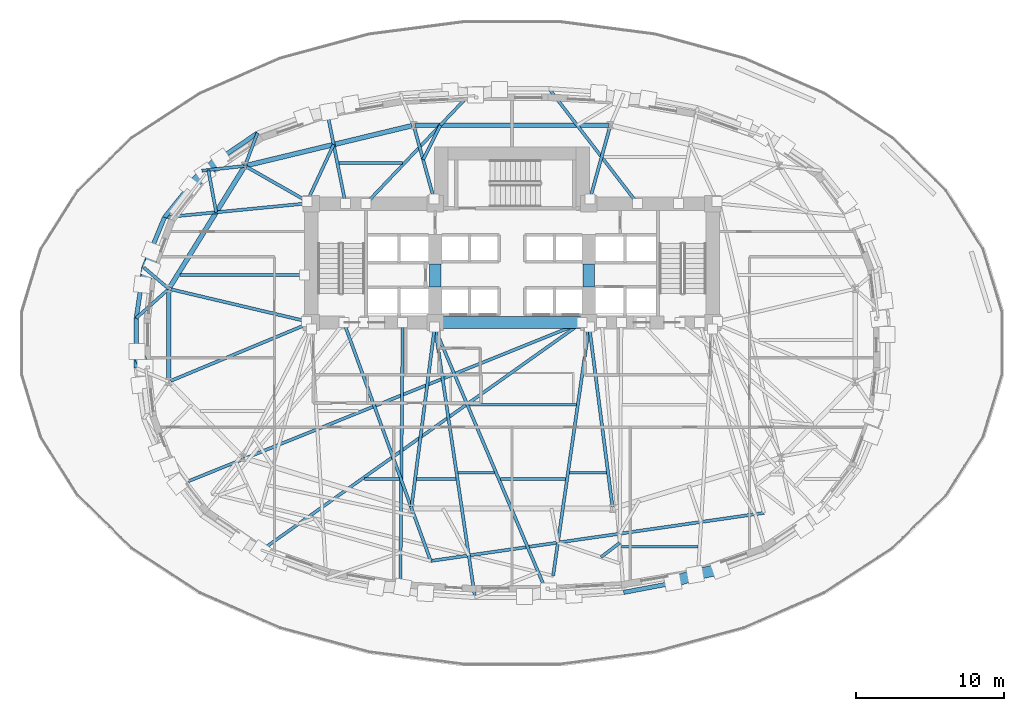
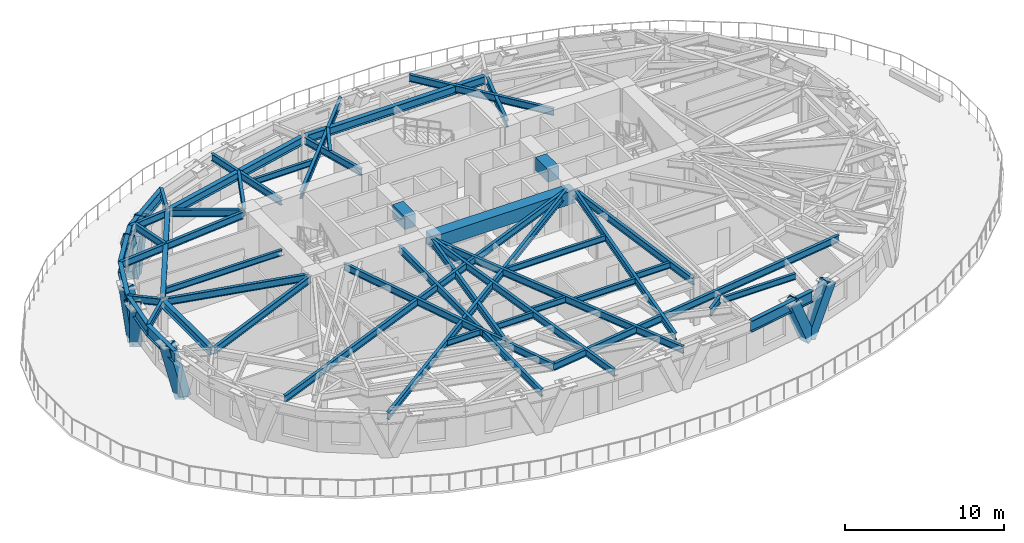
# One storey, part 2 of 14: 49 beams, 7 members.
"""IFC4 building model written with IfcOpenShell, lengths in metres."""

from ifc_helpers import new_model, si_unit, direction, frame, origin, origin_2d, place, context, subcontext, project, spatial, rectangle, hollow_rectangle, i_section, extrude, material, material_profile, profile_set, type_object, element, save


model = new_model("IFC4")

# Units and contexts
model_context = context("Model", 3, precision=1e-05, world=origin(), true_north=direction((0.0, 1.0)))
body_context = subcontext(model_context, "Body", "Model", "MODEL_VIEW")
ifc_project = project(units=[si_unit("LENGTHUNIT", "METRE"), si_unit("AREAUNIT", "SQUARE_METRE"), si_unit("VOLUMEUNIT", "CUBIC_METRE"), si_unit("PLANEANGLEUNIT", "RADIAN"), si_unit("MASSUNIT", "GRAM", prefix="KILO")], contexts=[model_context])

# Site, building, storey
site_placement = place(None, origin())
site = spatial("IfcSite", under=ifc_project, at=site_placement, CompositionType="ELEMENT")
building_placement = place(site_placement, origin())
building = spatial("IfcBuilding", under=site, at=building_placement, Name="Keldmark Tower", CompositionType="ELEMENT")
storey_placement = place(building_placement, frame((0.0, 0.0, 27.0)))
storey = spatial("IfcBuildingStorey", under=building, at=storey_placement, Name="L06", CompositionType="ELEMENT", Elevation=27.0)

# Beams
ifc_material_1 = material(Name="Steel ASTM A992 Grade 50", Category="steel")
ifc_material_profile_1 = material_profile(ifc_material_1, i_section(OverallWidth=0.19091796875, OverallDepth=0.45703125, WebThickness=0.009033203125, FlangeThickness=0.014404296875, at=origin_2d()), Name="W18X50")
ifc_profile_set_1 = profile_set([ifc_material_profile_1], Name="Steel ASTM A992 Grade 50")
beam_type_1 = type_object("IfcBeamType", Name="Composite Floor Joist W18X50", PredefinedType="JOIST", material=ifc_profile_set_1)
beam_1_placement = place(storey_placement, frame((7.412841796875, -13.800048828125, 3.17138671875), z_axis=(1.0, 0.0, 0.0), x_axis=(0.0, 1.0, 0.0)))
element("IfcBeam", 1, at=beam_1_placement, inside=storey, type_object=beam_type_1, Name="L06 Composite Floor Joist J01", PredefinedType="JOIST", context=body_context, shape_type="SweptSolid", body=[
    extrude(i_section(OverallWidth=0.19091796875, OverallDepth=0.45703125, WebThickness=0.009033203125, FlangeThickness=0.014404296875, at=origin_2d()), origin(), (0.0, 0.0, 1.0), 5.205322265625),
])
beam_2_placement = place(storey_placement, frame((-9.999267578125, -9.199951171875, 3.17138671875), z_axis=(1.0, 0.0, 0.0), x_axis=(0.0, 1.0, 0.0)))
element("IfcBeam", 2, at=beam_2_placement, inside=storey, type_object=beam_type_1, Name="L06 Composite Floor Joist J02", PredefinedType="JOIST", context=body_context, shape_type="SweptSolid", body=[
    extrude(i_section(OverallWidth=0.19091796875, OverallDepth=0.45703125, WebThickness=0.009033203125, FlangeThickness=0.014404296875, at=origin_2d()), origin(), (0.0, 0.0, 1.0), 2.364990234375),
])
beam_3_placement = place(storey_placement, frame((-6.465087890625, -9.199951171875, 3.17138671875), z_axis=(1.0, 0.0, 0.0), x_axis=(0.0, 1.0, 0.0)))
element("IfcBeam", 3, at=beam_3_placement, inside=storey, type_object=beam_type_1, Name="L06 Composite Floor Joist J03", PredefinedType="JOIST", context=body_context, shape_type="SweptSolid", body=[
    extrude(i_section(OverallWidth=0.19091796875, OverallDepth=0.45703125, WebThickness=0.009033203125, FlangeThickness=0.014404296875, at=origin_2d()), origin(), (0.0, 0.0, 1.0), 2.670654296875),
])
beam_4_placement = place(storey_placement, frame((-3.66259765625, -8.780029296875, 3.17138671875), z_axis=(1.0, 0.0, 0.0), x_axis=(0.0, 1.0, 0.0)))
element("IfcBeam", 4, at=beam_4_placement, inside=storey, type_object=beam_type_1, Name="L06 Composite Floor Joist J04", PredefinedType="JOIST", context=body_context, shape_type="SweptSolid", body=[
    extrude(i_section(OverallWidth=0.19091796875, OverallDepth=0.45703125, WebThickness=0.009033203125, FlangeThickness=0.014404296875, at=origin_2d()), origin(), (0.0, 0.0, 1.0), 2.481201171875),
])
beam_5_placement = place(storey_placement, frame((-0.7939453125, -9.199951171875, 3.17138671875), z_axis=(1.0, 0.0, 0.0), x_axis=(0.0, 1.0, 0.0)))
element("IfcBeam", 5, at=beam_5_placement, inside=storey, type_object=beam_type_1, Name="L06 Composite Floor Joist J05", PredefinedType="JOIST", context=body_context, shape_type="SweptSolid", body=[
    extrude(i_section(OverallWidth=0.19091796875, OverallDepth=0.45703125, WebThickness=0.009033203125, FlangeThickness=0.014404296875, at=origin_2d()), origin(), (0.0, 0.0, 1.0), 4.431396484375),
])
beam_6_placement = place(storey_placement, frame((3.89208984375, -8.780029296875, 3.17138671875), z_axis=(1.0, 0.0, 0.0), x_axis=(0.0, 1.0, 0.0)))
element("IfcBeam", 6, at=beam_6_placement, inside=storey, type_object=beam_type_1, Name="L06 Composite Floor Joist J06", PredefinedType="JOIST", context=body_context, shape_type="SweptSolid", body=[
    extrude(i_section(OverallWidth=0.19091796875, OverallDepth=0.45703125, WebThickness=0.009033203125, FlangeThickness=0.014404296875, at=origin_2d()), origin(), (0.0, 0.0, 1.0), 2.51904296875),
])
beam_7_placement = place(storey_placement, frame((-2.92138671875, -4.179931640625, 3.17138671875), z_axis=(1.0, 0.0, 0.0), x_axis=(0.0, 1.0, 0.0)))
element("IfcBeam", 7, at=beam_7_placement, inside=storey, type_object=beam_type_1, Name="L06 Composite Floor Joist J10", PredefinedType="JOIST", context=body_context, shape_type="SweptSolid", body=[
    extrude(i_section(OverallWidth=0.19091796875, OverallDepth=0.45703125, WebThickness=0.009033203125, FlangeThickness=0.014404296875, at=origin_2d()), origin(), (0.0, 0.0, 1.0), 7.28369140625),
])
beam_8_placement = place(storey_placement, frame((-22.489501953125, 4.6201171875, 3.17138671875), z_axis=(1.0, 0.0, 0.0), x_axis=(0.0, 1.0, 0.0)))
element("IfcBeam", 8, at=beam_8_placement, inside=storey, type_object=beam_type_1, Name="L06 Composite Floor Joist J14", PredefinedType="JOIST", context=body_context, shape_type="SweptSolid", body=[
    extrude(i_section(OverallWidth=0.19091796875, OverallDepth=0.45703125, WebThickness=0.009033203125, FlangeThickness=0.014404296875, at=origin_2d()), origin(), (0.0, 0.0, 1.0), 8.444580078125),
])
beam_9_placement = place(storey_placement, frame((-11.734130859375, 12.199951171875, 3.17138671875), z_axis=(1.0, 0.0, 0.0), x_axis=(0.0, 1.0, 0.0)))
element("IfcBeam", 9, at=beam_9_placement, inside=storey, type_object=beam_type_1, Name="L06 Composite Floor Joist J16", PredefinedType="JOIST", context=body_context, shape_type="SweptSolid", body=[
    extrude(i_section(OverallWidth=0.19091796875, OverallDepth=0.45703125, WebThickness=0.009033203125, FlangeThickness=0.014404296875, at=origin_2d()), origin(), (0.0, 0.0, 1.0), 4.31494140625),
])
ifc_material_2 = material(Name="Concrete C70/85", Category="concrete")
ifc_material_profile_2 = material_profile(ifc_material_2, rectangle(XDim=0.800048828125, YDim=1.0, at=origin_2d()), Name="RCB800X1000")
ifc_profile_set_2 = profile_set([ifc_material_profile_2], Name="Concrete C70/85")
beam_type_2 = type_object("IfcBeamType", Name="Core Coupling Beam RCB800X1000", PredefinedType="USERDEFINED", material=ifc_profile_set_2)
for number, where, z_axis, x_axis, name in (
    (10, (-5.199951171875, 3.800048828125, 2.89990234375), (0.0, 1.0, 0.0), (-1.0, 0.0, 0.0), "L06 West Core Coupling Beam"),
    (11, (5.199951171875, 3.800048828125, 2.89990234375), (0.0, 1.0, 0.0), (-1.0, 0.0, 0.0), "L06 East Core Coupling Beam"),
):
    element("IfcBeam", number, at=place(storey_placement, frame(where, z_axis=z_axis, x_axis=x_axis)), inside=storey, type_object=beam_type_2, Name=name, ObjectType="COUPLING BEAM", PredefinedType="USERDEFINED", context=body_context, shape_type="SweptSolid", body=[
        extrude(rectangle(XDim=0.800048828125, YDim=1.0, at=origin_2d()), origin(), (0.0, 0.0, 1.0), 1.550048828125),
    ])
beam_10_placement = place(storey_placement, frame((-5.199951171875, 1.39990234375, 2.89990234375), z_axis=(1.0, 0.0, 0.0), x_axis=(0.0, 1.0, 0.0)))
element("IfcBeam", 12, at=beam_10_placement, inside=storey, type_object=beam_type_2, Name="L06 Central South Core Coupling Beam", ObjectType="COUPLING BEAM", PredefinedType="USERDEFINED", context=body_context, shape_type="SweptSolid", body=[
    extrude(rectangle(XDim=0.800048828125, YDim=1.0, at=origin_2d()), origin(), (0.0, 0.0, 1.0), 10.39990234375),
])

# Members
ifc_material_3 = material(Name="Steel ASTM A572 Grade 50", Category="steel")
ifc_material_profile_3 = material_profile(ifc_material_3, hollow_rectangle(XDim=0.75, YDim=0.75, WallThickness=0.06494140625, at=origin_2d()), Name="BOX750X750X65")
ifc_profile_set_3 = profile_set([ifc_material_profile_3], Name="Steel ASTM A572 Grade 50")
member_type = type_object("IfcMemberType", Name="Diagrid Lower Brace BOX750X750X65", PredefinedType="BRACE", material=ifc_profile_set_3)
member_1_placement = place(storey_placement, frame((-20.7939453125, 11.526611328125, -0.35009765625), z_axis=(0.274361271263, 0.244967654328, 0.929901468524), x_axis=(-0.66601914824, 0.74593464471, 0.0)))
element("IfcMember", 13, at=member_1_placement, inside=storey, type_object=member_type, Name="L06 Perimeter Diagrid Brace 06B", PredefinedType="BRACE", context=body_context, shape_type="SweptSolid", body=[
    extrude(hollow_rectangle(XDim=0.75, YDim=0.75, WallThickness=0.06494140625, at=origin_2d()), origin(), (0.0, 0.0, 1.0), 3.90380859375),
])
member_2_placement = place(storey_placement, frame((-20.78564453125, 11.534912109375, -0.35009765625), z_axis=(-0.264353610602, -0.24339109732, 0.933208413114), x_axis=(0.677336484751, -0.735673355794, 0.0)))
element("IfcMember", 14, at=member_2_placement, inside=storey, type_object=member_type, Name="L06 Perimeter Diagrid Brace 07A", PredefinedType="BRACE", context=body_context, shape_type="SweptSolid", body=[
    extrude(hollow_rectangle(XDim=0.75, YDim=0.75, WallThickness=0.06494140625, at=origin_2d()), origin(), (0.0, 0.0, 1.0), 3.889892578125),
])
member_3_placement = place(storey_placement, frame((-24.4736328125, 5.008056640625, -0.35009765625), z_axis=(0.01160129594, 0.318653178034, 0.947800380914), x_axis=(-0.999337913048, 0.03638317667, 0.0)))
element("IfcMember", 15, at=member_3_placement, inside=storey, type_object=member_type, Name="L06 Perimeter Diagrid Brace 07B", PredefinedType="BRACE", context=body_context, shape_type="SweptSolid", body=[
    extrude(hollow_rectangle(XDim=0.75, YDim=0.75, WallThickness=0.06494140625, at=origin_2d()), origin(), (0.0, 0.0, 1.0), 3.830078125),
])
member_4_placement = place(storey_placement, frame((-24.468994140625, 5.018798828125, -0.35009765625), z_axis=(-0.155048243769, -0.275449904671, 0.948729356625), x_axis=(0.871429943821, -0.490519982276, 0.0)))
element("IfcMember", 16, at=member_4_placement, inside=storey, type_object=member_type, Name="L06 Perimeter Diagrid Brace 08A", PredefinedType="BRACE", context=body_context, shape_type="SweptSolid", body=[
    extrude(hollow_rectangle(XDim=0.75, YDim=0.75, WallThickness=0.06494140625, at=origin_2d()), origin(), (0.0, 0.0, 1.0), 3.826416015625),
])
member_5_placement = place(storey_placement, frame((-24.870361328125, -1.66796875, -0.35009765625), z_axis=(-0.13817884104, 0.286305028274, 0.948122375368), x_axis=(-0.900597665736, -0.434653706381, 0.0)))
element("IfcMember", 17, at=member_5_placement, inside=storey, type_object=member_type, Name="L06 Perimeter Diagrid Brace 08B", PredefinedType="BRACE", context=body_context, shape_type="SweptSolid", body=[
    extrude(hollow_rectangle(XDim=0.75, YDim=0.75, WallThickness=0.06494140625, at=origin_2d()), origin(), (0.0, 0.0, 1.0), 3.828857421875),
])
member_6_placement = place(storey_placement, frame((12.413330078125, -15.685302734375, -0.35009765625), z_axis=(-0.382368628652, -0.130183751927, 0.914793103689), x_axis=(0.322298647764, -0.946638041518, 0.0)))
element("IfcMember", 18, at=member_6_placement, inside=storey, type_object=member_type, Name="L06 Perimeter Diagrid Brace 13B", PredefinedType="BRACE", context=body_context, shape_type="SweptSolid", body=[
    extrude(hollow_rectangle(XDim=0.75, YDim=0.75, WallThickness=0.06494140625, at=origin_2d()), origin(), (0.0, 0.0, 1.0), 3.96826171875),
])
member_7_placement = place(storey_placement, frame((12.40234375, -15.689697265625, -0.35009765625), z_axis=(0.424231604402, 0.091971376104, 0.90087114051), x_axis=(-0.211873329426, 0.977297136125, 0.0)))
element("IfcMember", 19, at=member_7_placement, inside=storey, type_object=member_type, Name="L06 Perimeter Diagrid Brace 14A", PredefinedType="BRACE", context=body_context, shape_type="SweptSolid", body=[
    extrude(hollow_rectangle(XDim=0.75, YDim=0.75, WallThickness=0.06494140625, at=origin_2d()), origin(), (0.0, 0.0, 1.0), 4.029541015625),
])

# Beams
ifc_material_4 = material(Name="Steel ASTM A992 Grade 50", Category="steel")
ifc_material_profile_4 = material_profile(ifc_material_4, i_section(OverallWidth=0.323974609375, OverallDepth=0.611083984375, WebThickness=0.0126953125, FlangeThickness=0.01904296875, at=origin_2d()), Name="W24X104")
ifc_profile_set_4 = profile_set([ifc_material_profile_4], Name="Steel ASTM A992 Grade 50")
beam_type_3 = type_object("IfcBeamType", Name="Primary Floor Girder W24X104", PredefinedType="BEAM", material=ifc_profile_set_4)
beam_11_placement = place(storey_placement, frame((6.525146484375, 14.760009765625, 3.094482421875), z_axis=(-1.0, 0.0, 0.0), x_axis=(0.0, -1.0, 0.0)))
element("IfcBeam", 20, at=beam_11_placement, inside=storey, type_object=beam_type_3, Name="L06 Floor Ring Girder FG-R03", PredefinedType="BEAM", context=body_context, shape_type="SweptSolid", body=[
    extrude(i_section(OverallWidth=0.323974609375, OverallDepth=0.611083984375, WebThickness=0.0126953125, FlangeThickness=0.01904296875, at=origin_2d()), origin(), (0.0, 0.0, 1.0), 13.05029296875),
])
beam_12_placement = place(storey_placement, frame((-6.80126953125, 14.727294921875, 3.094482421875), z_axis=(-0.972218707757, -0.2340743136, 0.0), x_axis=(0.2340743136, -0.972218707757, 0.0)))
element("IfcBeam", 21, at=beam_12_placement, inside=storey, type_object=beam_type_3, Name="L06 Floor Ring Girder FG-R04", PredefinedType="BEAM", context=body_context, shape_type="SweptSolid", body=[
    extrude(i_section(OverallWidth=0.323974609375, OverallDepth=0.611083984375, WebThickness=0.0126953125, FlangeThickness=0.01904296875, at=origin_2d()), origin(), (0.0, 0.0, 1.0), 11.479248046875),
])
beam_13_placement = place(storey_placement, frame((-18.17138671875, 11.888427734375, 3.094482421875), z_axis=(-0.526318405849, -0.850287560573, 0.0), x_axis=(0.850287560573, -0.526318405849, 0.0)))
element("IfcBeam", 22, at=beam_13_placement, inside=storey, type_object=beam_type_3, Name="L06 Floor Ring Girder FG-R05", PredefinedType="BEAM", context=body_context, shape_type="SweptSolid", body=[
    extrude(i_section(OverallWidth=0.323974609375, OverallDepth=0.611083984375, WebThickness=0.0126953125, FlangeThickness=0.01904296875, at=origin_2d()), origin(), (0.0, 0.0, 1.0), 9.51708984375),
])
beam_14_placement = place(storey_placement, frame((-23.25390625, 3.537109375, 3.094482421875), z_axis=(0.0, -1.0, 0.0), x_axis=(1.0, 0.0, 0.0)))
element("IfcBeam", 23, at=beam_14_placement, inside=storey, type_object=beam_type_3, Name="L06 Floor Ring Girder FG-R06", PredefinedType="BEAM", context=body_context, shape_type="SweptSolid", body=[
    extrude(i_section(OverallWidth=0.323974609375, OverallDepth=0.611083984375, WebThickness=0.0126953125, FlangeThickness=0.01904296875, at=origin_2d()), origin(), (0.0, 0.0, 1.0), 6.01025390625),
])
ifc_material_5 = material(Name="Steel ASTM A992 Grade 50", Category="steel")
ifc_material_profile_5 = material_profile(ifc_material_5, i_section(OverallWidth=0.2099609375, OverallDepth=0.537109375, WebThickness=0.010986328125, FlangeThickness=0.017333984375, at=origin_2d()), Name="W21X68")
ifc_profile_set_5 = profile_set([ifc_material_profile_5], Name="Steel ASTM A992 Grade 50")
beam_type_4 = type_object("IfcBeamType", Name="Radial Tie Girder W21X68", PredefinedType="BEAM", material=ifc_profile_set_5)
beam_15_placement = place(storey_placement, frame((-11.392822265625, 1.39990234375, 3.131591796875), z_axis=(0.342258158689, -0.939605956138, 0.0), x_axis=(0.939605956138, 0.342258158689, 0.0)))
element("IfcBeam", 24, at=beam_15_placement, inside=storey, type_object=beam_type_4, Name="L06 Sub-Ring Step Girder STP1-M09", PredefinedType="BEAM", context=body_context, shape_type="SweptSolid", body=[
    extrude(i_section(OverallWidth=0.2099609375, OverallDepth=0.537109375, WebThickness=0.010986328125, FlangeThickness=0.017333984375, at=origin_2d()), origin(), (0.0, 0.0, 1.0), 17.19970703125),
])
beam_16_placement = place(storey_placement, frame((-5.506103515625, -14.760986328125, 3.131591796875), z_axis=(0.989765074517, 0.142706332259, 0.0), x_axis=(-0.142706332259, 0.989765074517, 0.0)))
element("IfcBeam", 25, at=beam_16_placement, inside=storey, type_object=beam_type_4, Name="L06 Perimeter Collector Ring Beam CRG1-M09", PredefinedType="BEAM", context=body_context, shape_type="SweptSolid", body=[
    extrude(i_section(OverallWidth=0.2099609375, OverallDepth=0.537109375, WebThickness=0.010986328125, FlangeThickness=0.017333984375, at=origin_2d()), origin(), (0.0, 0.0, 1.0), 22.8203125),
])
beam_17_placement = place(storey_placement, frame((5.199951171875, 0.949951171875, 3.131591796875), z_axis=(-0.1428965683, -0.989737627237, 0.0), x_axis=(0.989737627237, -0.1428965683, 0.0)))
element("IfcBeam", 26, at=beam_17_placement, inside=storey, type_object=beam_type_4, Name="L06 Sub-Ring Step Girder STP2-M10", PredefinedType="BEAM", context=body_context, shape_type="SweptSolid", body=[
    extrude(i_section(OverallWidth=0.2099609375, OverallDepth=0.537109375, WebThickness=0.010986328125, FlangeThickness=0.017333984375, at=origin_2d()), origin(), (0.0, 0.0, 1.0), 16.888671875),
])
beam_18_placement = place(storey_placement, frame((8.507080078125, 9.449951171875, 3.131591796875), z_axis=(-0.610277084742, 0.792188033132, 0.0), x_axis=(-0.792188033132, -0.610277084742, 0.0)))
element("IfcBeam", 27, at=beam_18_placement, inside=storey, type_object=beam_type_4, Name="L06 Perimeter Radial Tie Girder RT-08", PredefinedType="BEAM", context=body_context, shape_type="SweptSolid", body=[
    extrude(i_section(OverallWidth=0.2099609375, OverallDepth=0.537109375, WebThickness=0.010986328125, FlangeThickness=0.017333984375, at=origin_2d()), origin(), (0.0, 0.0, 1.0), 9.830810546875),
])
beam_19_placement = place(storey_placement, frame((-6.023681640625, 12.43505859375, 3.131591796875), z_axis=(0.448377101328, 0.893844491511, 0.0), x_axis=(-0.893844491511, 0.448377101328, 0.0)))
element("IfcBeam", 28, at=beam_19_placement, inside=storey, type_object=beam_type_4, Name="L06 Framing Pin Header PH-009", PredefinedType="BEAM", context=body_context, shape_type="SweptSolid", body=[
    extrude(i_section(OverallWidth=0.2099609375, OverallDepth=0.537109375, WebThickness=0.010986328125, FlangeThickness=0.017333984375, at=origin_2d()), origin(), (0.0, 0.0, 1.0), 2.60107421875),
])
beam_20_placement = place(storey_placement, frame((-9.892822265625, 9.449951171875, 3.131591796875), z_axis=(0.688102940506, 0.725613080965, 0.0), x_axis=(-0.725613080965, 0.688102940506, 0.0)))
element("IfcBeam", 29, at=beam_20_placement, inside=storey, type_object=beam_type_4, Name="L06 Perimeter Radial Tie Girder RT-09", PredefinedType="BEAM", context=body_context, shape_type="SweptSolid", body=[
    extrude(i_section(OverallWidth=0.2099609375, OverallDepth=0.537109375, WebThickness=0.010986328125, FlangeThickness=0.017333984375, at=origin_2d()), origin(), (0.0, 0.0, 1.0), 10.732666015625),
])
beam_21_placement = place(storey_placement, frame((-13.878173828125, 9.608154296875, 3.131591796875), z_axis=(0.422494952086, 0.906365277061, 0.0), x_axis=(-0.906365277061, 0.422494952086, 0.0)))
element("IfcBeam", 30, at=beam_21_placement, inside=storey, type_object=beam_type_4, Name="L06 Framing Pin Header PH-010", PredefinedType="BEAM", context=body_context, shape_type="SweptSolid", body=[
    extrude(i_section(OverallWidth=0.2099609375, OverallDepth=0.537109375, WebThickness=0.010986328125, FlangeThickness=0.017333984375, at=origin_2d()), origin(), (0.0, 0.0, 1.0), 4.244384765625),
])
beam_22_placement = place(storey_placement, frame((-11.278564453125, 9.449951171875, 3.131591796875), z_axis=(-0.197363641719, 0.980330348876, 0.0), x_axis=(-0.980330348876, -0.197363641719, 0.0)))
element("IfcBeam", 31, at=beam_22_placement, inside=storey, type_object=beam_type_4, Name="L06 Perimeter Radial Tie Girder RT-11", PredefinedType="BEAM", context=body_context, shape_type="SweptSolid", body=[
    extrude(i_section(OverallWidth=0.2099609375, OverallDepth=0.537109375, WebThickness=0.010986328125, FlangeThickness=0.017333984375, at=origin_2d()), origin(), (0.0, 0.0, 1.0), 6.623046875),
])
beam_23_placement = place(storey_placement, frame((-18.09765625, 12.00732421875, 3.131591796875), z_axis=(0.356805751095, 0.934178599619, 0.0), x_axis=(-0.934178599619, 0.356805751095, 0.0)))
element("IfcBeam", 32, at=beam_23_placement, inside=storey, type_object=beam_type_4, Name="L06 Perimeter Column Bracket RT-12", PredefinedType="BEAM", context=body_context, shape_type="SweptSolid", body=[
    extrude(i_section(OverallWidth=0.2099609375, OverallDepth=0.537109375, WebThickness=0.010986328125, FlangeThickness=0.017333984375, at=origin_2d()), origin(), (0.0, 0.0, 1.0), 2.3798828125),
])
beam_24_placement = place(storey_placement, frame((-18.09765625, 12.00732421875, 3.131591796875), z_axis=(-0.993725660726, -0.111845032138, 0.0), x_axis=(0.111845032138, -0.993725660726, 0.0)))
element("IfcBeam", 33, at=beam_24_placement, inside=storey, type_object=beam_type_4, Name="L06 Perimeter Column Bracket RT-13", PredefinedType="BEAM", context=body_context, shape_type="SweptSolid", body=[
    extrude(i_section(OverallWidth=0.2099609375, OverallDepth=0.537109375, WebThickness=0.010986328125, FlangeThickness=0.017333984375, at=origin_2d()), origin(), (0.0, 0.0, 1.0), 2.938232421875),
])
beam_25_placement = place(storey_placement, frame((-20.579345703125, 11.727783203125, 3.131591796875), z_axis=(0.183934362282, -0.982938528277, 0.0), x_axis=(0.982938528277, 0.183934362282, 0.0)))
element("IfcBeam", 34, at=beam_25_placement, inside=storey, type_object=beam_type_4, Name="L06 Framing Pin Header PH-011", PredefinedType="BEAM", context=body_context, shape_type="SweptSolid", body=[
    extrude(i_section(OverallWidth=0.2099609375, OverallDepth=0.537109375, WebThickness=0.010986328125, FlangeThickness=0.017333984375, at=origin_2d()), origin(), (0.0, 0.0, 1.0), 2.91357421875),
])
beam_26_placement = place(storey_placement, frame((-14.050048828125, 9.449951171875, 3.131591796875), z_axis=(-0.995254165929, -0.097309532935, 0.0), x_axis=(0.097309532935, -0.995254165929, 0.0)))
element("IfcBeam", 35, at=beam_26_placement, inside=storey, type_object=beam_type_4, Name="L06 Perimeter Radial Tie Girder RT-14", PredefinedType="BEAM", context=body_context, shape_type="SweptSolid", body=[
    extrude(i_section(OverallWidth=0.2099609375, OverallDepth=0.537109375, WebThickness=0.010986328125, FlangeThickness=0.017333984375, at=origin_2d()), origin(), (0.0, 0.0, 1.0), 9.541259765625),
])
beam_27_placement = place(storey_placement, frame((-23.25390625, 3.67724609375, 3.131591796875), z_axis=(-0.760692412595, 0.649112512143, 0.0), x_axis=(-0.649112512143, -0.760692412595, 0.0)))
element("IfcBeam", 36, at=beam_27_placement, inside=storey, type_object=beam_type_4, Name="L06 Perimeter Column Bracket RT-15", PredefinedType="BEAM", context=body_context, shape_type="SweptSolid", body=[
    extrude(i_section(OverallWidth=0.2099609375, OverallDepth=0.537109375, WebThickness=0.010986328125, FlangeThickness=0.017333984375, at=origin_2d()), origin(), (0.0, 0.0, 1.0), 2.2294921875),
])
beam_28_placement = place(storey_placement, frame((-23.25390625, 3.67724609375, 3.131591796875), z_axis=(-0.744182427177, -0.667976433029, 0.0), x_axis=(0.667976433029, -0.744182427177, 0.0)))
element("IfcBeam", 37, at=beam_28_placement, inside=storey, type_object=beam_type_4, Name="L06 Perimeter Column Bracket RT-16", PredefinedType="BEAM", context=body_context, shape_type="SweptSolid", body=[
    extrude(i_section(OverallWidth=0.2099609375, OverallDepth=0.537109375, WebThickness=0.010986328125, FlangeThickness=0.017333984375, at=origin_2d()), origin(), (0.0, 0.0, 1.0), 2.96337890625),
])
beam_29_placement = place(storey_placement, frame((4.75, 1.39990234375, 3.131591796875), z_axis=(-0.927431126915, -0.373993990365, 0.0), x_axis=(0.373993990365, -0.927431126915, 0.0)))
element("IfcBeam", 38, at=beam_29_placement, inside=storey, type_object=beam_type_4, Name="L06 Intermediate Radial Step Girder RT-19M", PredefinedType="BEAM", context=body_context, shape_type="SweptSolid", body=[
    extrude(i_section(OverallWidth=0.2099609375, OverallDepth=0.537109375, WebThickness=0.010986328125, FlangeThickness=0.017333984375, at=origin_2d()), origin(), (0.0, 0.0, 1.0), 28.781005859375),
])
beam_30_placement = place(storey_placement, frame((4.75, 1.39990234375, 3.131591796875), z_axis=(-0.81518333092, -0.579203018802, 0.0), x_axis=(0.579203018802, -0.81518333092, 0.0)))
element("IfcBeam", 39, at=beam_30_placement, inside=storey, type_object=beam_type_4, Name="L06 Perimeter Radial Tie Girder RT-21", PredefinedType="BEAM", context=body_context, shape_type="SweptSolid", body=[
    extrude(i_section(OverallWidth=0.2099609375, OverallDepth=0.537109375, WebThickness=0.010986328125, FlangeThickness=0.017333984375, at=origin_2d()), origin(), (0.0, 0.0, 1.0), 26.986083984375),
])
beam_31_placement = place(storey_placement, frame((-7.406982421875, 1.39990234375, 3.131591796875), z_axis=(-0.008834803594, -0.999960972361, 0.0), x_axis=(0.999960972361, -0.008834803594, 0.0)))
element("IfcBeam", 40, at=beam_31_placement, inside=storey, type_object=beam_type_4, Name="L06 Perimeter Radial Tie Girder RT-23", PredefinedType="BEAM", context=body_context, shape_type="SweptSolid", body=[
    extrude(i_section(OverallWidth=0.2099609375, OverallDepth=0.537109375, WebThickness=0.010986328125, FlangeThickness=0.017333984375, at=origin_2d()), origin(), (0.0, 0.0, 1.0), 18.293701171875),
])
beam_32_placement = place(storey_placement, frame((-5.199951171875, 0.949951171875, 3.131591796875), z_axis=(0.146437012508, -0.989219996446, 0.0), x_axis=(0.989219996446, 0.146437012508, 0.0)))
element("IfcBeam", 41, at=beam_32_placement, inside=storey, type_object=beam_type_4, Name="L06 Perimeter Radial Tie Girder RT-24", PredefinedType="BEAM", context=body_context, shape_type="SweptSolid", body=[
    extrude(i_section(OverallWidth=0.2099609375, OverallDepth=0.537109375, WebThickness=0.010986328125, FlangeThickness=0.017333984375, at=origin_2d()), origin(), (0.0, 0.0, 1.0), 18.385986328125),
])
beam_33_placement = place(storey_placement, frame((-5.199951171875, 0.949951171875, 3.131591796875), z_axis=(0.390185440754, -0.920736293313, 0.0), x_axis=(0.920736293313, 0.390185440754, 0.0)))
element("IfcBeam", 42, at=beam_33_placement, inside=storey, type_object=beam_type_4, Name="L06 Perimeter Radial Tie Girder RT-25", PredefinedType="BEAM", context=body_context, shape_type="SweptSolid", body=[
    extrude(i_section(OverallWidth=0.2099609375, OverallDepth=0.537109375, WebThickness=0.010986328125, FlangeThickness=0.017333984375, at=origin_2d()), origin(), (0.0, 0.0, 1.0), 19.75341796875),
])
beam_34_placement = place(storey_placement, frame((6.03271484375, -14.50341796875, 3.131591796875), z_axis=(0.794231386284, 0.607615425283, 0.0), x_axis=(-0.607615425283, 0.794231386284, 0.0)))
element("IfcBeam", 43, at=beam_34_placement, inside=storey, type_object=beam_type_4, Name="L06 Framing Pin Header PH-020", PredefinedType="BEAM", context=body_context, shape_type="SweptSolid", body=[
    extrude(i_section(OverallWidth=0.2099609375, OverallDepth=0.537109375, WebThickness=0.010986328125, FlangeThickness=0.017333984375, at=origin_2d()), origin(), (0.0, 0.0, 1.0), 1.589599609375),
])
ifc_material_6 = material(Name="Steel ASTM A992 Grade 50", Category="steel")
ifc_material_profile_6 = material_profile(ifc_material_6, i_section(OverallWidth=0.214111328125, OverallDepth=0.549072265625, WebThickness=0.0146484375, FlangeThickness=0.023681640625, at=origin_2d()), Name="W21X93")
ifc_profile_set_6 = profile_set([ifc_material_profile_6], Name="Steel ASTM A992 Grade 50")
beam_type_5 = type_object("IfcBeamType", Name="Radial Tie Girder W21X93", PredefinedType="BEAM", material=ifc_profile_set_6)
for number, where, z_axis, x_axis, name in (
    (44, (6.6279296875, 14.625, 3.12548828125), (-0.265984786353, -0.963977226613, 0.0), (0.963977226613, -0.265984786353, 0.0), "L06 Floor Radial Girder FG-C03"),
    (45, (-6.6279296875, 14.625, 3.12548828125), (0.265984786353, -0.963977226613, 0.0), (0.963977226613, 0.265984786353, 0.0), "L06 Floor Radial Girder FG-C04"),
):
    element("IfcBeam", number, at=place(storey_placement, frame(where, z_axis=z_axis, x_axis=x_axis)), inside=storey, type_object=beam_type_5, Name=name, PredefinedType="BEAM", context=body_context, shape_type="SweptSolid", body=[
        extrude(i_section(OverallWidth=0.214111328125, OverallDepth=0.549072265625, WebThickness=0.0146484375, FlangeThickness=0.023681640625, at=origin_2d()), origin(), (0.0, 0.0, 1.0), 5.04833984375),
    ])
beam_35_placement = place(storey_placement, frame((-17.97607421875, 11.938232421875, 3.12548828125), z_axis=(0.869299282131, -0.494286109542, 0.0), x_axis=(0.494286109542, 0.869299282131, 0.0)))
element("IfcBeam", 46, at=beam_35_placement, inside=storey, type_object=beam_type_5, Name="L06 Floor Radial Girder FG-C05", PredefinedType="BEAM", context=body_context, shape_type="SweptSolid", body=[
    extrude(i_section(OverallWidth=0.214111328125, OverallDepth=0.549072265625, WebThickness=0.0146484375, FlangeThickness=0.023681640625, at=origin_2d()), origin(), (0.0, 0.0, 1.0), 4.714111328125),
])
beam_36_placement = place(storey_placement, frame((-23.11767578125, 3.64501953125, 3.12548828125), z_axis=(0.973287364179, -0.229590301909, 0.0), x_axis=(0.229590301909, 0.973287364179, 0.0)))
element("IfcBeam", 47, at=beam_36_placement, inside=storey, type_object=beam_type_5, Name="L06 Floor Radial Girder FG-C06", PredefinedType="BEAM", context=body_context, shape_type="SweptSolid", body=[
    extrude(i_section(OverallWidth=0.214111328125, OverallDepth=0.549072265625, WebThickness=0.0146484375, FlangeThickness=0.023681640625, at=origin_2d()), origin(), (0.0, 0.0, 1.0), 9.458740234375),
])
beam_37_placement = place(storey_placement, frame((-23.124755859375, -2.5595703125, 3.12548828125), z_axis=(0.923390978102, 0.383860784088, 0.0), x_axis=(-0.383860784088, 0.923390978102, 0.0)))
element("IfcBeam", 48, at=beam_37_placement, inside=storey, type_object=beam_type_5, Name="L06 Floor Radial Girder FG-C07", PredefinedType="BEAM", context=body_context, shape_type="SweptSolid", body=[
    extrude(i_section(OverallWidth=0.214111328125, OverallDepth=0.549072265625, WebThickness=0.0146484375, FlangeThickness=0.023681640625, at=origin_2d()), origin(), (0.0, 0.0, 1.0), 9.994873046875),
])
for number, where, z_axis, x_axis, name in (
    (49, (-6.80419921875, -11.06689453125, 3.12548828125), (0.127634898593, 0.99182122011, 0.0), (-0.99182122011, 0.127634898593, 0.0), "L06 Floor Radial Girder FG-C09"),
    (50, (6.80419921875, -11.06689453125, 3.12548828125), (-0.127634898593, 0.99182122011, 0.0), (-0.99182122011, -0.127634898593, 0.0), "L06 Floor Radial Girder FG-C10"),
):
    element("IfcBeam", number, at=place(storey_placement, frame(where, z_axis=z_axis, x_axis=x_axis)), inside=storey, type_object=beam_type_5, Name=name, PredefinedType="BEAM", context=body_context, shape_type="SweptSolid", body=[
        extrude(i_section(OverallWidth=0.214111328125, OverallDepth=0.549072265625, WebThickness=0.0146484375, FlangeThickness=0.023681640625, at=origin_2d()), origin(), (0.0, 0.0, 1.0), 12.24951171875),
    ])
ifc_material_7 = material(Name="Steel ASTM A992 Grade 50", Category="steel")
ifc_material_profile_7 = material_profile(ifc_material_7, i_section(OverallWidth=0.2919921875, OverallDepth=0.85888671875, WebThickness=0.01708984375, FlangeThickness=0.031005859375, at=origin_2d()), Name="W33X169")
ifc_profile_set_7 = profile_set([ifc_material_profile_7], Name="Steel ASTM A992 Grade 50")
beam_type_6 = type_object("IfcBeamType", Name="Spandrel Ring Beam W33X169", PredefinedType="SPANDREL", material=ifc_profile_set_7)
beam_38_placement = place(storey_placement, frame((-17.24853515625, 14.23046875, 2.970458984375), z_axis=(-0.828051238664, -0.560652429003, 0.0), x_axis=(0.560652429003, -0.828051238664, 0.0)))
element("IfcBeam", 51, at=beam_38_placement, inside=storey, type_object=beam_type_6, Name="L06 Perimeter Spandrel Ring Beam SRB-12", PredefinedType="SPANDREL", context=body_context, shape_type="SweptSolid", body=[
    extrude(i_section(OverallWidth=0.2919921875, OverallDepth=0.85888671875, WebThickness=0.01708984375, FlangeThickness=0.031005859375, at=origin_2d()), origin(), (0.0, 0.0, 1.0), 4.551513671875),
])
beam_39_placement = place(storey_placement, frame((-21.017333984375, 11.6787109375, 2.970458984375), z_axis=(-0.625151279322, -0.780503605348, 0.0), x_axis=(0.780503605348, -0.625151279322, 0.0)))
element("IfcBeam", 52, at=beam_39_placement, inside=storey, type_object=beam_type_6, Name="L06 Perimeter Spandrel Ring Beam SRB-13", PredefinedType="SPANDREL", context=body_context, shape_type="SweptSolid", body=[
    extrude(i_section(OverallWidth=0.2919921875, OverallDepth=0.85888671875, WebThickness=0.01708984375, FlangeThickness=0.031005859375, at=origin_2d()), origin(), (0.0, 0.0, 1.0), 4.045166015625),
])
beam_40_placement = place(storey_placement, frame((-23.546142578125, 8.521484375, 2.970458984375), z_axis=(-0.381925438614, -0.92419313963, 0.0), x_axis=(0.92419313963, -0.381925438614, 0.0)))
element("IfcBeam", 53, at=beam_40_placement, inside=storey, type_object=beam_type_6, Name="L06 Perimeter Spandrel Ring Beam SRB-14", PredefinedType="SPANDREL", context=body_context, shape_type="SweptSolid", body=[
    extrude(i_section(OverallWidth=0.2919921875, OverallDepth=0.85888671875, WebThickness=0.01708984375, FlangeThickness=0.031005859375, at=origin_2d()), origin(), (0.0, 0.0, 1.0), 3.675537109375),
])
beam_41_placement = place(storey_placement, frame((-24.949951171875, 5.12451171875, 2.970458984375), z_axis=(-0.147003256829, -0.989136008081, 0.0), x_axis=(0.989136008081, -0.147003256829, 0.0)))
element("IfcBeam", 54, at=beam_41_placement, inside=storey, type_object=beam_type_6, Name="L06 Perimeter Spandrel Ring Beam SRB-15", PredefinedType="SPANDREL", context=body_context, shape_type="SweptSolid", body=[
    extrude(i_section(OverallWidth=0.2919921875, OverallDepth=0.85888671875, WebThickness=0.01708984375, FlangeThickness=0.031005859375, at=origin_2d()), origin(), (0.0, 0.0, 1.0), 3.46435546875),
])
beam_42_placement = place(storey_placement, frame((-25.459228515625, 1.69775390625, 2.970458984375), z_axis=(0.0, -1.0, 0.0), x_axis=(1.0, 0.0, 0.0)))
element("IfcBeam", 55, at=beam_42_placement, inside=storey, type_object=beam_type_6, Name="L06 Perimeter Spandrel Ring Beam SRB-16", PredefinedType="SPANDREL", context=body_context, shape_type="SweptSolid", body=[
    extrude(i_section(OverallWidth=0.2919921875, OverallDepth=0.85888671875, WebThickness=0.01708984375, FlangeThickness=0.031005859375, at=origin_2d()), origin(), (0.0, 0.0, 1.0), 3.3955078125),
])
beam_43_placement = place(storey_placement, frame((7.568603515625, -16.89306640625, 2.970458984375), z_axis=(0.982525136481, 0.186129944347, 0.0), x_axis=(-0.186129944347, 0.982525136481, 0.0)))
element("IfcBeam", 56, at=beam_43_placement, inside=storey, type_object=beam_type_6, Name="L06 Perimeter Spandrel Ring Beam SRB-26", PredefinedType="SPANDREL", context=body_context, shape_type="SweptSolid", body=[
    extrude(i_section(OverallWidth=0.2919921875, OverallDepth=0.85888671875, WebThickness=0.01708984375, FlangeThickness=0.031005859375, at=origin_2d()), origin(), (0.0, 0.0, 1.0), 5.106201171875),
])

save(model, "model.ifc")
